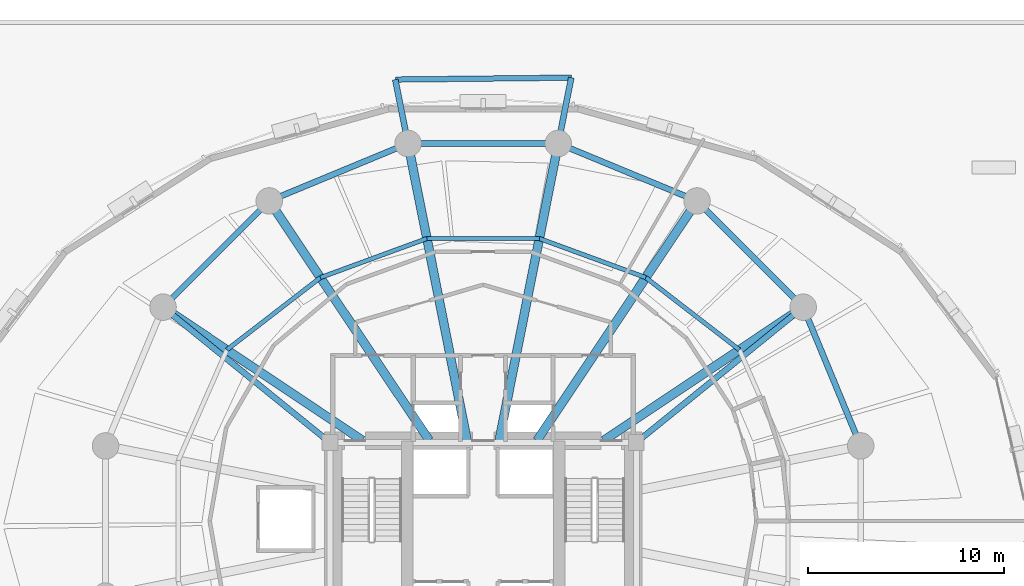
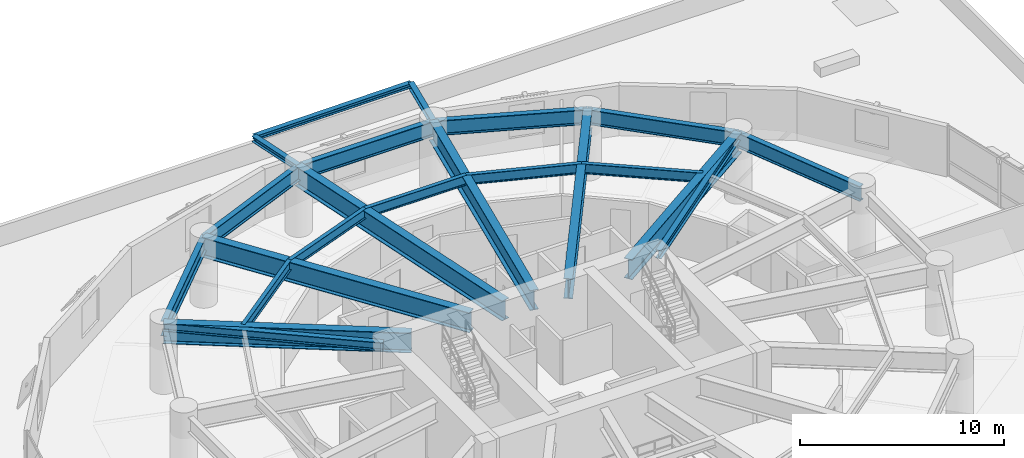
# One storey, part 6 of 15: 22 beams.
"""IFC4 building model written with IfcOpenShell, lengths in metres."""

from ifc_helpers import new_model, si_unit, direction, frame, origin, origin_2d, place, context, subcontext, project, spatial, i_section, extrude, material, material_profile, profile_set, type_object, element, save


model = new_model("IFC4")

# Units and contexts
model_context = context("Model", 3, precision=1e-05, world=origin(), true_north=direction((0.0, 1.0)))
body_context = subcontext(model_context, "Body", "Model", "MODEL_VIEW")
ifc_project = project(units=[si_unit("LENGTHUNIT", "METRE"), si_unit("AREAUNIT", "SQUARE_METRE"), si_unit("VOLUMEUNIT", "CUBIC_METRE"), si_unit("PLANEANGLEUNIT", "RADIAN"), si_unit("MASSUNIT", "GRAM", prefix="KILO"), si_unit("THERMODYNAMICTEMPERATUREUNIT", "KELVIN"), si_unit("POWERUNIT", "WATT")], contexts=[model_context])

# Site, building, storey
site_placement = place(None, origin())
site = spatial("IfcSite", under=ifc_project, at=site_placement, CompositionType="ELEMENT")
building_placement = place(site_placement, origin())
building = spatial("IfcBuilding", under=site, at=building_placement, Name="Ocrelia Relay Tower", CompositionType="ELEMENT")
storey_placement = place(building_placement, frame((0.0, 0.0, 30.0)))
storey = spatial("IfcBuildingStorey", under=building, at=storey_placement, Name="L06", CompositionType="ELEMENT", Elevation=30.0)

# Beams
ifc_material = material(Name="Steel S355", Category="steel")
ifc_material_profile_1 = material_profile(ifc_material, i_section(OverallWidth=0.280029296875, OverallDepth=0.27001953125, WebThickness=0.008056640625, FlangeThickness=0.012939453125, FilletRadius=0.02392578125, at=origin_2d()), Name="HEA 280")
ifc_profile_set_1 = profile_set([ifc_material_profile_1], Name="Steel S355")
beam_type_1 = type_object("IfcBeamType", Name="BM-HEA280", PredefinedType="BEAM", material=ifc_profile_set_1)
beam_1_placement = place(storey_placement, frame((38.490478515625, 48.57470703125, 3.784912109375), z_axis=(-0.999940925073, -0.010869515314, 0.0), x_axis=(0.010869515314, -0.999940925073, 0.0)))
element("IfcBeam", 1, at=beam_1_placement, inside=storey, type_object=beam_type_1, Name="L07 Balcony Edge Trimmer Beam B1", PredefinedType="BEAM", context=body_context, shape_type="SweptSolid", body=[
    extrude(i_section(OverallWidth=0.280029296875, OverallDepth=0.27001953125, WebThickness=0.008056640625, FlangeThickness=0.012939453125, FilletRadius=0.02392578125, at=origin_2d()), origin(), (0.0, 0.0, 1.0), 8.9619140625),
])
ifc_material_profile_2 = material_profile(ifc_material, i_section(OverallWidth=0.300048828125, OverallDepth=0.330078125, WebThickness=0.009521484375, FlangeThickness=0.0166015625, FilletRadius=0.027099609375, at=origin_2d()), Name="HEA 340")
ifc_profile_set_2 = profile_set([ifc_material_profile_2], Name="Steel S355")
beam_type_2 = type_object("IfcBeamType", Name="BM-HEA340", PredefinedType="BEAM", material=ifc_profile_set_2)
beam_2_placement = place(storey_placement, frame((37.82373046875, 45.223388671875, 3.7548828125), z_axis=(0.195126743893, 0.980778034938, 0.0), x_axis=(-0.980778034938, 0.195126743893, 0.0)))
element("IfcBeam", 2, at=beam_2_placement, inside=storey, type_object=beam_type_2, Name="L07 Balcony Cantilever Beam B1-1", PredefinedType="BEAM", context=body_context, shape_type="SweptSolid", body=[
    extrude(i_section(OverallWidth=0.300048828125, OverallDepth=0.330078125, WebThickness=0.009521484375, FlangeThickness=0.0166015625, FilletRadius=0.027099609375, at=origin_2d()), origin(), (0.0, 0.0, 1.0), 3.4169921875),
])
beam_3_placement = place(storey_placement, frame((30.17626953125, 45.223388671875, 3.7548828125), z_axis=(-0.195082957799, 0.980786745208, 0.0), x_axis=(-0.980786745208, -0.195082957799, 0.0)))
element("IfcBeam", 3, at=beam_3_placement, inside=storey, type_object=beam_type_2, Name="L07 Balcony Cantilever Beam B1-2", PredefinedType="BEAM", context=body_context, shape_type="SweptSolid", body=[
    extrude(i_section(OverallWidth=0.300048828125, OverallDepth=0.330078125, WebThickness=0.009521484375, FlangeThickness=0.0166015625, FilletRadius=0.027099609375, at=origin_2d()), origin(), (0.0, 0.0, 1.0), 3.317626953125),
])
ifc_material_profile_3 = material_profile(ifc_material, i_section(OverallWidth=0.300048828125, OverallDepth=0.5, WebThickness=0.014404296875, FlangeThickness=0.028076171875, FilletRadius=0.027099609375, at=origin_2d()), Name="HEB 500")
ifc_profile_set_3 = profile_set([ifc_material_profile_3], Name="Steel S355")
beam_type_3 = type_object("IfcBeamType", Name="BM-HEB500", PredefinedType="BEAM", material=ifc_profile_set_3)
for number, where, z_axis, x_axis, name in (
    (4, (50.296875, 36.88916015625, 3.669921875), (-0.776762830896, -0.629793223637, 0.0), (0.629793223637, -0.776762830896, 0.0), "L06 Core Pilaster Frame Tie Beam PT02"),
    (5, (17.703125, 36.88916015625, 3.669921875), (0.776762830896, -0.629793223637, 0.0), (0.629793223637, 0.776762830896, 0.0), "L06 Core Pilaster Frame Tie Beam PT07"),
):
    element("IfcBeam", number, at=place(storey_placement, frame(where, z_axis=z_axis, x_axis=x_axis)), inside=storey, type_object=beam_type_3, Name=name, PredefinedType="BEAM", context=body_context, shape_type="SweptSolid", body=[
        extrude(i_section(OverallWidth=0.300048828125, OverallDepth=0.5, WebThickness=0.014404296875, FlangeThickness=0.028076171875, FilletRadius=0.027099609375, at=origin_2d()), origin(), (0.0, 0.0, 1.0), 10.938720703125),
    ])
ifc_material_profile_4 = material_profile(ifc_material, i_section(OverallWidth=0.300048828125, OverallDepth=0.89990234375, WebThickness=0.0185546875, FlangeThickness=0.034912109375, FilletRadius=0.030029296875, at=origin_2d()), Name="HEB 900")
ifc_profile_set_4 = profile_set([ifc_material_profile_4], Name="Steel S355")
beam_type_4 = type_object("IfcBeamType", Name="BM-HEB900", PredefinedType="BEAM", material=ifc_profile_set_4)
beam_4_placement = place(storey_placement, frame((53.223388671875, 29.82373046875, 3.469970703125), z_axis=(-0.382674154222, 0.923883375589, 0.0), x_axis=(-0.923883375589, -0.382674154222, 0.0)))
element("IfcBeam", 6, at=beam_4_placement, inside=storey, type_object=beam_type_4, Name="L06 Perimeter Spandrel Beam S01", PredefinedType="BEAM", context=body_context, shape_type="SweptSolid", body=[
    extrude(i_section(OverallWidth=0.300048828125, OverallDepth=0.89990234375, WebThickness=0.0185546875, FlangeThickness=0.034912109375, FilletRadius=0.030029296875, at=origin_2d()), origin(), (0.0, 0.0, 1.0), 7.6474609375),
])
beam_5_placement = place(storey_placement, frame((50.296875, 36.88916015625, 3.469970703125), z_axis=(-0.707106781187, 0.707106781187, 0.0), x_axis=(-0.707106781187, -0.707106781187, 0.0)))
element("IfcBeam", 7, at=beam_5_placement, inside=storey, type_object=beam_type_4, Name="L06 Perimeter Spandrel Beam S02", PredefinedType="BEAM", context=body_context, shape_type="SweptSolid", body=[
    extrude(i_section(OverallWidth=0.300048828125, OverallDepth=0.89990234375, WebThickness=0.0185546875, FlangeThickness=0.034912109375, FilletRadius=0.030029296875, at=origin_2d()), origin(), (0.0, 0.0, 1.0), 7.647705078125),
])
for number, where, z_axis, x_axis, name in (
    (8, (44.88916015625, 42.296875, 3.469970703125), (-0.923883375589, 0.382674154222, 0.0), (-0.382674154222, -0.923883375589, 0.0), "L06 Perimeter Spandrel Beam S03"),
    (9, (37.82373046875, 45.223388671875, 3.469970703125), (-1.0, 0.0, 0.0), (0.0, -1.0, 0.0), "L06 Perimeter Spandrel Beam S04"),
    (10, (30.17626953125, 45.223388671875, 3.469970703125), (-0.923883375589, -0.382674154222, 0.0), (0.382674154222, -0.923883375589, 0.0), "L06 Perimeter Spandrel Beam S05"),
):
    element("IfcBeam", number, at=place(storey_placement, frame(where, z_axis=z_axis, x_axis=x_axis)), inside=storey, type_object=beam_type_4, Name=name, PredefinedType="BEAM", context=body_context, shape_type="SweptSolid", body=[
        extrude(i_section(OverallWidth=0.300048828125, OverallDepth=0.89990234375, WebThickness=0.0185546875, FlangeThickness=0.034912109375, FilletRadius=0.030029296875, at=origin_2d()), origin(), (0.0, 0.0, 1.0), 7.6474609375),
    ])
beam_6_placement = place(storey_placement, frame((23.11083984375, 42.296875, 3.469970703125), z_axis=(-0.707106781187, -0.707106781187, 0.0), x_axis=(0.707106781187, -0.707106781187, 0.0)))
element("IfcBeam", 11, at=beam_6_placement, inside=storey, type_object=beam_type_4, Name="L06 Perimeter Spandrel Beam S06", PredefinedType="BEAM", context=body_context, shape_type="SweptSolid", body=[
    extrude(i_section(OverallWidth=0.300048828125, OverallDepth=0.89990234375, WebThickness=0.0185546875, FlangeThickness=0.034912109375, FilletRadius=0.030029296875, at=origin_2d()), origin(), (0.0, 0.0, 1.0), 7.647705078125),
])
ifc_material_profile_5 = material_profile(ifc_material, i_section(OverallWidth=0.219970703125, OverallDepth=0.60009765625, WebThickness=0.011962890625, FlangeThickness=0.01904296875, FilletRadius=0.02392578125, at=origin_2d()), Name="IPE 600")
ifc_profile_set_5 = profile_set([ifc_material_profile_5], Name="Steel S355")
beam_type_5 = type_object("IfcBeamType", Name="BM-IPE600", PredefinedType="JOIST", material=ifc_profile_set_5)
beam_7_placement = place(storey_placement, frame((47.0478515625, 34.71826171875, 3.6201171875), z_axis=(-0.791694256239, 0.610917510502, 0.0), x_axis=(-0.610917510502, -0.791694256239, 0.0)))
element("IfcBeam", 12, at=beam_7_placement, inside=storey, type_object=beam_type_5, Name="L06 Secondary Floor Joist J02", PredefinedType="JOIST", context=body_context, shape_type="SweptSolid", body=[
    extrude(i_section(OverallWidth=0.219970703125, OverallDepth=0.60009765625, WebThickness=0.011962890625, FlangeThickness=0.01904296875, FilletRadius=0.02392578125, at=origin_2d()), origin(), (0.0, 0.0, 1.0), 6.019287109375),
])
beam_8_placement = place(storey_placement, frame((42.282470703125, 38.3955078125, 3.6201171875), z_axis=(-0.938745977034, 0.344609910773, 0.0), x_axis=(-0.344609910773, -0.938745977034, 0.0)))
element("IfcBeam", 13, at=beam_8_placement, inside=storey, type_object=beam_type_5, Name="L06 Secondary Floor Joist J03", PredefinedType="JOIST", context=body_context, shape_type="SweptSolid", body=[
    extrude(i_section(OverallWidth=0.219970703125, OverallDepth=0.60009765625, WebThickness=0.011962890625, FlangeThickness=0.01904296875, FilletRadius=0.02392578125, at=origin_2d()), origin(), (0.0, 0.0, 1.0), 5.774658203125),
])
beam_9_placement = place(storey_placement, frame((36.861572265625, 40.385498046875, 3.6201171875), z_axis=(-1.0, 0.0, 0.0), x_axis=(0.0, -1.0, 0.0)))
element("IfcBeam", 14, at=beam_9_placement, inside=storey, type_object=beam_type_5, Name="L06 Secondary Floor Joist J04", PredefinedType="JOIST", context=body_context, shape_type="SweptSolid", body=[
    extrude(i_section(OverallWidth=0.219970703125, OverallDepth=0.60009765625, WebThickness=0.011962890625, FlangeThickness=0.01904296875, FilletRadius=0.02392578125, at=origin_2d()), origin(), (0.0, 0.0, 1.0), 5.72314453125),
])
beam_10_placement = place(storey_placement, frame((31.138427734375, 40.385498046875, 3.6201171875), z_axis=(-0.938745977034, -0.344609910773, 0.0), x_axis=(0.344609910773, -0.938745977034, 0.0)))
element("IfcBeam", 15, at=beam_10_placement, inside=storey, type_object=beam_type_5, Name="L06 Secondary Floor Joist J05", PredefinedType="JOIST", context=body_context, shape_type="SweptSolid", body=[
    extrude(i_section(OverallWidth=0.219970703125, OverallDepth=0.60009765625, WebThickness=0.011962890625, FlangeThickness=0.01904296875, FilletRadius=0.02392578125, at=origin_2d()), origin(), (0.0, 0.0, 1.0), 5.774658203125),
])
beam_11_placement = place(storey_placement, frame((25.717529296875, 38.3955078125, 3.6201171875), z_axis=(-0.791694256239, -0.610917510502, 0.0), x_axis=(0.610917510502, -0.791694256239, 0.0)))
element("IfcBeam", 16, at=beam_11_placement, inside=storey, type_object=beam_type_5, Name="L06 Secondary Floor Joist J06", PredefinedType="JOIST", context=body_context, shape_type="SweptSolid", body=[
    extrude(i_section(OverallWidth=0.219970703125, OverallDepth=0.60009765625, WebThickness=0.011962890625, FlangeThickness=0.01904296875, FilletRadius=0.02392578125, at=origin_2d()), origin(), (0.0, 0.0, 1.0), 6.019287109375),
])
ifc_material_profile_6 = material_profile(ifc_material, i_section(OverallWidth=0.449951171875, OverallDepth=1.199951171875, WebThickness=0.02392578125, FlangeThickness=0.035888671875, FilletRadius=0.02001953125, at=origin_2d()), Name="WPG 1200x450")
ifc_profile_set_6 = profile_set([ifc_material_profile_6], Name="Steel S355")
beam_type_6 = type_object("IfcBeamType", Name="BM-WPG1200", PredefinedType="T_BEAM", material=ifc_profile_set_6)
beam_12_placement = place(storey_placement, frame((50.296875, 36.88916015625, 3.320068359375), z_axis=(-0.831471581268, -0.555567286243, 0.0), x_axis=(0.555567286243, -0.831471581268, 0.0)))
element("IfcBeam", 17, at=beam_12_placement, inside=storey, type_object=beam_type_6, Name="L06 Radial Transfer Girder R02", PredefinedType="T_BEAM", context=body_context, shape_type="SweptSolid", body=[
    extrude(i_section(OverallWidth=0.449951171875, OverallDepth=1.199951171875, WebThickness=0.02392578125, FlangeThickness=0.035888671875, FilletRadius=0.02001953125, at=origin_2d()), origin(), (0.0, 0.0, 1.0), 12.211181640625),
])
beam_13_placement = place(storey_placement, frame((44.88916015625, 42.296875, 3.320068359375), z_axis=(-0.555564422059, -0.831473495033, 0.0), x_axis=(0.831473495033, -0.555564422059, 0.0)))
element("IfcBeam", 18, at=beam_13_placement, inside=storey, type_object=beam_type_6, Name="L06 Radial Transfer Girder R03", PredefinedType="T_BEAM", context=body_context, shape_type="SweptSolid", body=[
    extrude(i_section(OverallWidth=0.449951171875, OverallDepth=1.199951171875, WebThickness=0.02392578125, FlangeThickness=0.035888671875, FilletRadius=0.02001953125, at=origin_2d()), origin(), (0.0, 0.0, 1.0), 14.6630859375),
])
for number, where, z_axis, x_axis, name in (
    (19, (37.82373046875, 45.223388671875, 3.320068359375), (-0.19509567956, -0.980784214706, 0.0), (0.980784214706, -0.19509567956, 0.0), "L06 Radial Transfer Girder R04"),
    (20, (30.17626953125, 45.223388671875, 3.320068359375), (0.19509567956, -0.980784214706, 0.0), (0.980784214706, 0.19509567956, 0.0), "L06 Radial Transfer Girder R05"),
):
    element("IfcBeam", number, at=place(storey_placement, frame(where, z_axis=z_axis, x_axis=x_axis)), inside=storey, type_object=beam_type_6, Name=name, PredefinedType="T_BEAM", context=body_context, shape_type="SweptSolid", body=[
        extrude(i_section(OverallWidth=0.449951171875, OverallDepth=1.199951171875, WebThickness=0.02392578125, FlangeThickness=0.035888671875, FilletRadius=0.02001953125, at=origin_2d()), origin(), (0.0, 0.0, 1.0), 15.41455078125),
    ])
beam_14_placement = place(storey_placement, frame((23.11083984375, 42.296875, 3.320068359375), z_axis=(0.555564422059, -0.831473495033, 0.0), x_axis=(0.831473495033, 0.555564422059, 0.0)))
element("IfcBeam", 21, at=beam_14_placement, inside=storey, type_object=beam_type_6, Name="L06 Radial Transfer Girder R06", PredefinedType="T_BEAM", context=body_context, shape_type="SweptSolid", body=[
    extrude(i_section(OverallWidth=0.449951171875, OverallDepth=1.199951171875, WebThickness=0.02392578125, FlangeThickness=0.035888671875, FilletRadius=0.02001953125, at=origin_2d()), origin(), (0.0, 0.0, 1.0), 14.6630859375),
])
beam_15_placement = place(storey_placement, frame((17.703125, 36.88916015625, 3.320068359375), z_axis=(0.831471581268, -0.555567286243, 0.0), x_axis=(0.555567286243, 0.831471581268, 0.0)))
element("IfcBeam", 22, at=beam_15_placement, inside=storey, type_object=beam_type_6, Name="L06 Radial Transfer Girder R07", PredefinedType="T_BEAM", context=body_context, shape_type="SweptSolid", body=[
    extrude(i_section(OverallWidth=0.449951171875, OverallDepth=1.199951171875, WebThickness=0.02392578125, FlangeThickness=0.035888671875, FilletRadius=0.02001953125, at=origin_2d()), origin(), (0.0, 0.0, 1.0), 12.211181640625),
])

save(model, "model.ifc")
